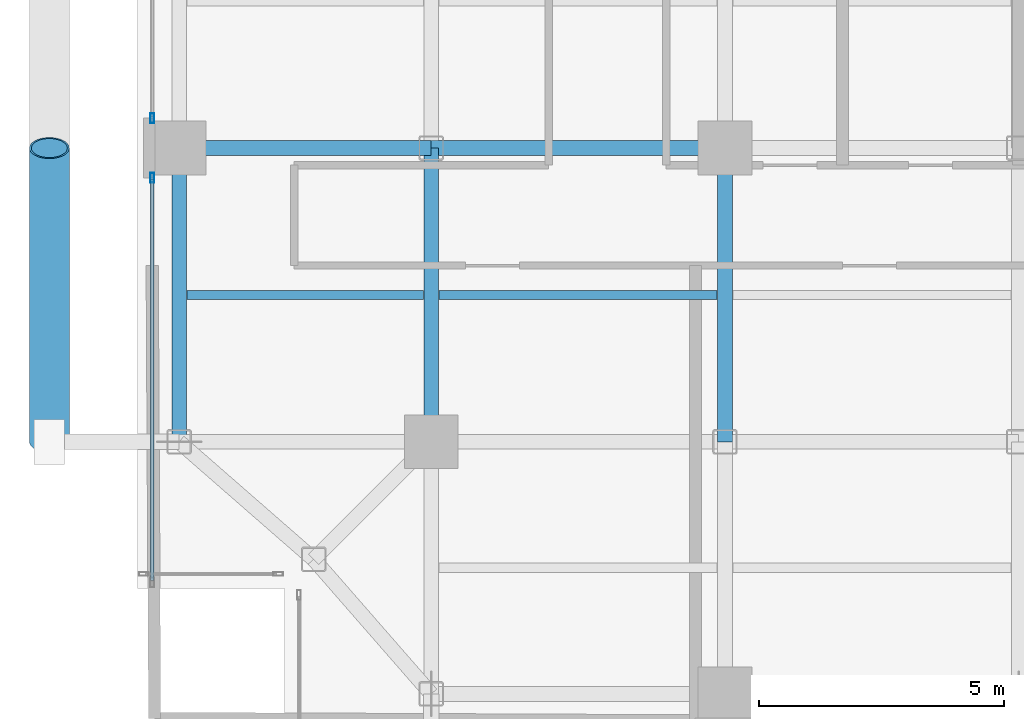
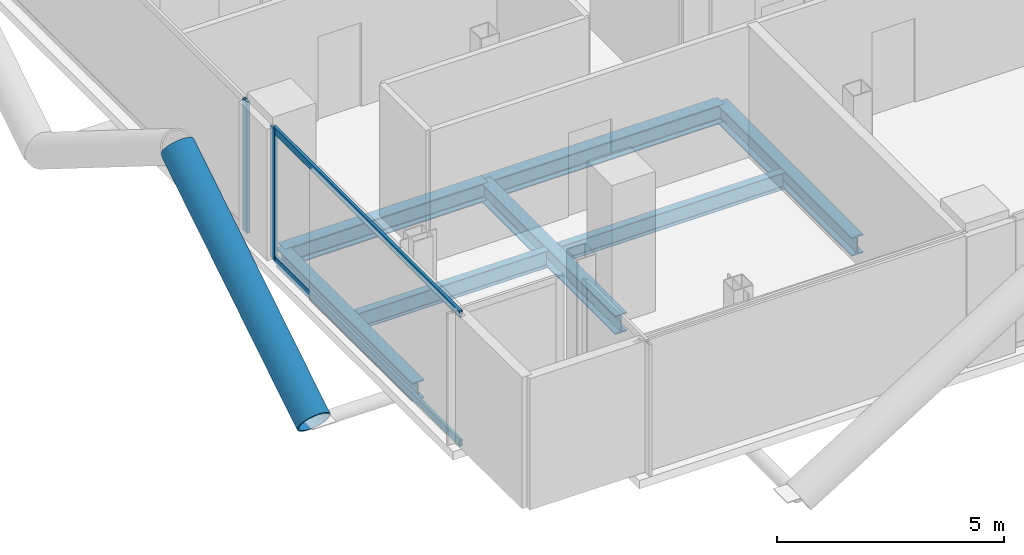
# One storey, part 3 of 28: 7 beams, 5 members, 2 elements without a shape of their own.
"""IFC4 building model written with IfcOpenShell, lengths in metres."""

from ifc_helpers import new_model, si_unit, direction, frame, origin, origin_2d, place, context, subcontext, project, spatial, hollow_rectangle, hollow_circle, i_section, extrude, material, layer, layer_set, material_profile, profile_set, type_object, element, aggregate, save


model = new_model("IFC4")

# Units and contexts
model_context = context("Model", 3, precision=1e-05, world=origin(), true_north=direction((0.0, 1.0)))
body_context = subcontext(model_context, "Body", "Model", "MODEL_VIEW")
ifc_project = project(units=[si_unit("LENGTHUNIT", "METRE"), si_unit("AREAUNIT", "SQUARE_METRE"), si_unit("VOLUMEUNIT", "CUBIC_METRE"), si_unit("PLANEANGLEUNIT", "RADIAN"), si_unit("MASSUNIT", "GRAM", prefix="KILO"), si_unit("THERMODYNAMICTEMPERATUREUNIT", "KELVIN"), si_unit("POWERUNIT", "WATT")], contexts=[model_context])

# Site, building, storey
site_placement = place(None, origin())
site = spatial("IfcSite", under=ifc_project, at=site_placement, CompositionType="ELEMENT")
building_placement = place(site_placement, origin())
building = spatial("IfcBuilding", under=site, at=building_placement, Name="Svarakhadi Broadcast Tower", CompositionType="ELEMENT")
storey_placement = place(building_placement, frame((0.0, 0.0, 134.39990234375)))
storey = spatial("IfcBuildingStorey", under=building, at=storey_placement, Name="L32", CompositionType="ELEMENT", Elevation=134.39990234375)

# Beams
ifc_material_1 = material(Name="Steel S355J2 (IS 2062 E350C)", Category="steel")
ifc_material_profile_1 = material_profile(ifc_material_1, i_section(OverallWidth=0.18994140625, OverallDepth=0.449951171875, WebThickness=0.009521484375, FlangeThickness=0.0146484375, FilletRadius=0.02099609375, at=origin_2d()), Name="NPB 450x190x78")
ifc_profile_set_1 = profile_set([ifc_material_profile_1], Name="Steel S355J2 (IS 2062 E350C)")
beam_type_1 = type_object("IfcBeamType", Name="Beam_NPB450", PredefinedType="BEAM", material=ifc_profile_set_1)
beam_1_placement = place(storey_placement, frame((1.010009765625, 9.0, -0.449951171875), z_axis=(1.0, 0.0, 0.0), x_axis=(0.0, 1.0, 0.0)))
element("IfcBeam", 1, at=beam_1_placement, inside=storey, type_object=beam_type_1, Name="L32 Secondary Composite Beam SB001", PredefinedType="BEAM", context=body_context, shape_type="SweptSolid", body=[
    extrude(i_section(OverallWidth=0.18994140625, OverallDepth=0.449951171875, WebThickness=0.009521484375, FlangeThickness=0.0146484375, FilletRadius=0.02099609375, at=origin_2d()), origin(), (0.0, 0.0, 1.0), 4.830078125),
])
beam_2_placement = place(storey_placement, frame((6.159912109375, 9.0, -0.449951171875), z_axis=(1.0, 0.0, 0.0), x_axis=(0.0, 1.0, 0.0)))
element("IfcBeam", 2, at=beam_2_placement, inside=storey, type_object=beam_type_1, Name="L32 Secondary Composite Beam SB007", PredefinedType="BEAM", context=body_context, shape_type="SweptSolid", body=[
    extrude(i_section(OverallWidth=0.18994140625, OverallDepth=0.449951171875, WebThickness=0.009521484375, FlangeThickness=0.0146484375, FilletRadius=0.02099609375, at=origin_2d()), origin(), (0.0, 0.0, 1.0), 5.68017578125),
])

# Curtain wall, member
ifc_material_2 = material(Name="Anodised Bronze Aluminium AA 6063-T6", Category="aluminium")
ifc_layer = layer(ifc_material_2, 0.199951171875)
ifc_layer_set = layer_set([ifc_layer], Name="Anodised Bronze Aluminium AA 6063-T6")
curtain_wall_type = type_object("IfcCurtainWallType", Name="CW_Sys_03", PredefinedType="NOTDEFINED", material=ifc_layer_set)
curtain_wall_1_placement = place(storey_placement, origin())
curtain_wall_1 = element("IfcCurtainWall", 3, at=curtain_wall_1_placement, inside=storey, type_object=curtain_wall_type, Name="L32 West Curtain Wall 02 Bay 1", PredefinedType="NOTDEFINED")
ifc_material_profile_2 = material_profile(ifc_material_2, hollow_rectangle(XDim=0.074951171875, YDim=0.199951171875, WallThickness=0.005615234375, at=origin_2d()), Name="ALU MULLION 200x75x6")
ifc_profile_set_2 = profile_set([ifc_material_profile_2], Name="Anodised Bronze Aluminium AA 6063-T6")
member_type_1 = type_object("IfcMemberType", Name="CW_Sys_03_Mul", PredefinedType="MULLION", material=ifc_profile_set_2)
member_1_placement = place(storey_placement, frame((0.300048828125, 11.392578125, 0.0), z_axis=(0.0, 0.0, 1.0), x_axis=(-1.0, 0.0, 0.0)))
member_1 = element("IfcMember", 4, at=member_1_placement, type_object=member_type_1, Name="CW-03 mullion 2", PredefinedType="MULLION", context=body_context, shape_type="SweptSolid", body=[
    extrude(hollow_rectangle(XDim=0.074951171875, YDim=0.199951171875, WallThickness=0.005615234375, at=origin_2d()), origin(), (0.0, 0.0, 1.0), 3.525146484375),
])

curtain_wall_2_placement = place(storey_placement, origin())
curtain_wall_2 = element("IfcCurtainWall", 5, at=curtain_wall_2_placement, inside=storey, type_object=curtain_wall_type, Name="L32 West Curtain Wall 02 Bay 2", PredefinedType="NOTDEFINED")
member_2_placement = place(storey_placement, frame((0.300048828125, 12.607421875, 0.0), z_axis=(0.0, 0.0, 1.0), x_axis=(-1.0, 0.0, 0.0)))
member_2 = element("IfcMember", 6, at=member_2_placement, type_object=member_type_1, Name="CW-03 mullion 1", PredefinedType="MULLION", context=body_context, shape_type="SweptSolid", body=[
    extrude(hollow_rectangle(XDim=0.074951171875, YDim=0.199951171875, WallThickness=0.005615234375, at=origin_2d()), origin(), (0.0, 0.0, 1.0), 3.525146484375),
])
aggregate(curtain_wall_2, [member_2])

# Member
ifc_material_profile_3 = material_profile(ifc_material_2, hollow_rectangle(XDim=0.070068359375, YDim=0.18505859375, WallThickness=0.0048828125, at=origin_2d()), Name="ALU TRANSOM 185x70x5")
ifc_profile_set_3 = profile_set([ifc_material_profile_3], Name="Anodised Bronze Aluminium AA 6063-T6")
member_type_2 = type_object("IfcMemberType", Name="CW_Sys_03_Trn", PredefinedType="USERDEFINED", material=ifc_profile_set_3)
member_3_placement = place(storey_placement, frame((0.300048828125, 3.1650390625, 0.03515625), z_axis=(0.0, 1.0, 0.0), x_axis=(-1.0, 0.0, 0.0)))
member_3 = element("IfcMember", 7, at=member_3_placement, type_object=member_type_2, Name="CW-03 transom 1.1", ObjectType="TRANSOM", PredefinedType="USERDEFINED", context=body_context, shape_type="SweptSolid", body=[
    extrude(hollow_rectangle(XDim=0.070068359375, YDim=0.18505859375, WallThickness=0.0048828125, at=origin_2d()), origin(), (0.0, 0.0, 1.0), 8.18994140625),
])

member_4_placement = place(storey_placement, frame((0.300048828125, 3.1650390625, 3.489990234375), z_axis=(0.0, 1.0, 0.0), x_axis=(-1.0, 0.0, 0.0)))
member_4 = element("IfcMember", 8, at=member_4_placement, type_object=member_type_2, Name="CW-03 transom 1.2", ObjectType="TRANSOM", PredefinedType="USERDEFINED", context=body_context, shape_type="SweptSolid", body=[
    extrude(hollow_rectangle(XDim=0.070068359375, YDim=0.18505859375, WallThickness=0.0048828125, at=origin_2d()), origin(), (0.0, 0.0, 1.0), 8.18994140625),
])

aggregate(curtain_wall_1, [member_1, member_3, member_4])

ifc_material_3 = material(Name="Steel S460ML (IS 2062 E450BR)", Category="steel")
ifc_material_profile_4 = material_profile(ifc_material_3, hollow_circle(Radius=0.406494140625, WallThickness=0.0400390625, at=origin_2d()), Name="CHS 813x40")
ifc_profile_set_4 = profile_set([ifc_material_profile_4], Name="Steel S460ML (IS 2062 E450BR)")
member_type_3 = type_object("IfcMemberType", Name="Exo_Brace_CHS813", PredefinedType="BRACE", material=ifc_profile_set_4)
member_5_placement = place(storey_placement, frame((-1.800048828125, 6.0, -0.386962890625), z_axis=(0.0, 0.847998304005, 0.529998940003), x_axis=(-1.0, 0.0, 0.0)))
element("IfcMember", 9, at=member_5_placement, inside=storey, type_object=member_type_3, Name="L32 Exposed Bronze Exoskeleton Diagonal W05", PredefinedType="BRACE", context=body_context, shape_type="SweptSolid", body=[
    extrude(hollow_circle(Radius=0.406494140625, WallThickness=0.0400390625, at=origin_2d()), origin(), (0.0, 0.0, 1.0), 7.075439453125),
])

# Beams
ifc_material_profile_5 = material_profile(ifc_material_1, i_section(OverallWidth=0.300048828125, OverallDepth=0.5, WebThickness=0.014404296875, FlangeThickness=0.028076171875, FilletRadius=0.027099609375, at=origin_2d()), Name="WPB 500x300x187")
ifc_profile_set_5 = profile_set([ifc_material_profile_5], Name="Steel S355J2 (IS 2062 E350C)")
beam_type_2 = type_object("IfcBeamType", Name="Girder_WPB500", PredefinedType="USERDEFINED", material=ifc_profile_set_5)
beam_3_placement = place(storey_placement, frame((0.85009765625, 12.0, -0.474853515625), z_axis=(1.0, 0.0, 0.0), x_axis=(0.0, 1.0, 0.0)))
element("IfcBeam", 10, at=beam_3_placement, inside=storey, type_object=beam_type_2, Name="L32 Primary E-W Girder G017", ObjectType="GIRDER", PredefinedType="USERDEFINED", context=body_context, shape_type="SweptSolid", body=[
    extrude(i_section(OverallWidth=0.300048828125, OverallDepth=0.5, WebThickness=0.014404296875, FlangeThickness=0.028076171875, FilletRadius=0.027099609375, at=origin_2d()), origin(), (0.0, 0.0, 1.0), 5.14990234375),
])
for number, where, z_axis, x_axis, name in (
    (11, (6.0, 12.0, -0.474853515625), (1.0, 0.0, 0.0), (0.0, 1.0, 0.0), "L32 Primary E-W Girder G018"),
    (12, (0.85009765625, 6.0, -0.474853515625), (0.0, 1.0, 0.0), (-1.0, 0.0, 0.0), "L32 Primary N-S Girder G040"),
    (13, (6.0, 6.0, -0.474853515625), (0.0, 1.0, 0.0), (-1.0, 0.0, 0.0), "L32 Primary N-S Girder G046"),
    (14, (12.0, 6.0, -0.474853515625), (0.0, 1.0, 0.0), (-1.0, 0.0, 0.0), "L32 Primary N-S Girder G052"),
):
    element("IfcBeam", number, at=place(storey_placement, frame(where, z_axis=z_axis, x_axis=x_axis)), inside=storey, type_object=beam_type_2, Name=name, ObjectType="GIRDER", PredefinedType="USERDEFINED", context=body_context, shape_type="SweptSolid", body=[
        extrude(i_section(OverallWidth=0.300048828125, OverallDepth=0.5, WebThickness=0.014404296875, FlangeThickness=0.028076171875, FilletRadius=0.027099609375, at=origin_2d()), origin(), (0.0, 0.0, 1.0), 6.0),
    ])

save(model, "model.ifc")
